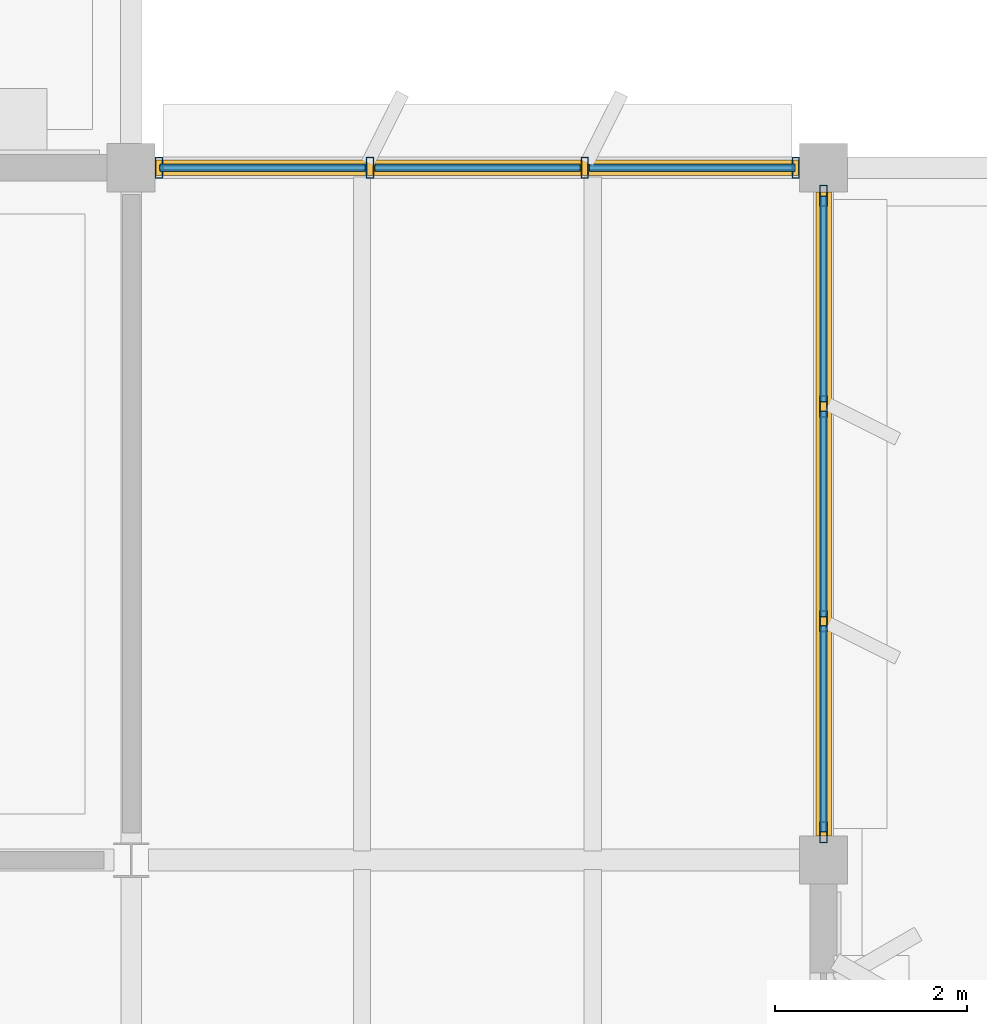
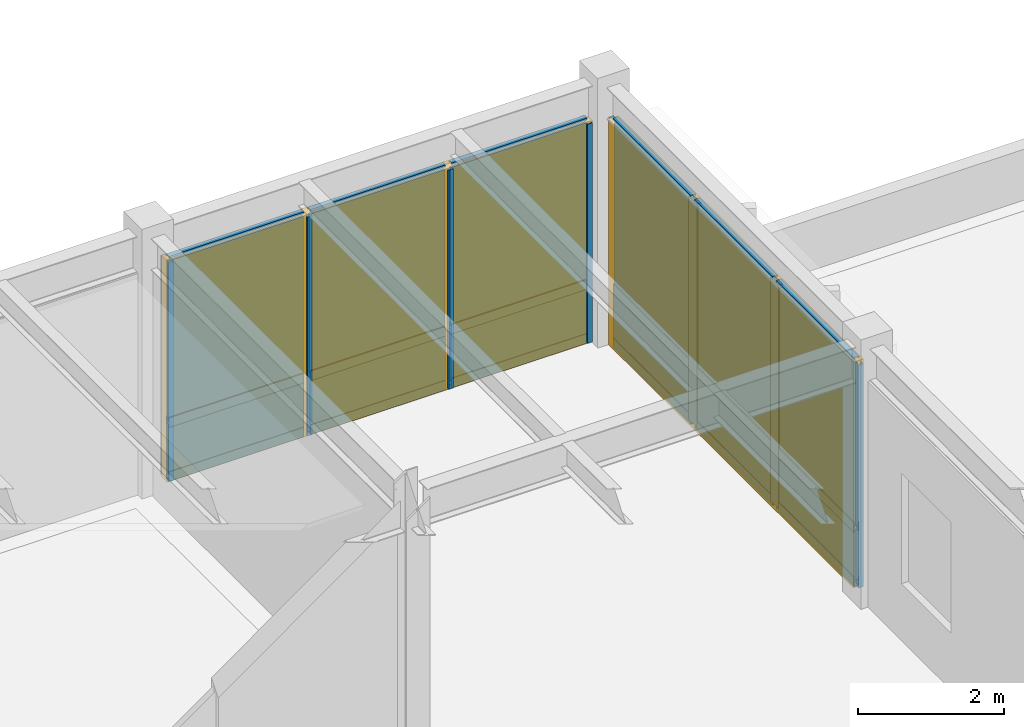
# One storey, part 66 of 92: 26 members, 12 plates, 2 curtain walls.
"""IFC4 building model written with IfcOpenShell, lengths in metres."""

import ifcopenshell
import ifcopenshell.guid

model = None  # the IFC model being written
_history = None  # IfcOwnerHistory: only IFC2X3 demands one
_inside = {}  # id of a spatial element -> (the spatial element, [elements in it])
_under = {}  # id of a project, library or spatial element -> (it, [spatial elements below it])
_declared = {}  # id of a project -> (the project, [libraries it declares])
_typed = {}  # id of a type object -> (the type object, [elements of that type])
_made_of = {}  # id of a material, layer set ... -> (it, [elements and type objects made of it])


def new_model(schema):
    """Start an empty IFC model of exactly this schema.

    Asked for "IFC4X3", IfcOpenShell would pick the latest addendum, in which some entities
    have other attributes; the version numbers below select the first issue.
    IFC2X3 requires an IfcOwnerHistory on every rooted entity: one is made here for all.
    """
    global model, _history
    if schema == "IFC4X3":
        model = ifcopenshell.file(schema_version=(4, 3, 0, 0))
    else:
        model = ifcopenshell.file(schema=schema)
    _inside.clear()
    _under.clear()
    _declared.clear()
    _typed.clear()
    _made_of.clear()
    _history = None
    if model.schema == "IFC2X3":
        org = make("IfcOrganization", Name="unknown")
        user = make(
            "IfcPersonAndOrganization",
            ThePerson=make("IfcPerson", FamilyName="unknown"),
            TheOrganization=org,
        )
        app = make(
            "IfcApplication",
            ApplicationDeveloper=org,
            Version="unknown",
            ApplicationFullName="unknown",
            ApplicationIdentifier="unknown",
        )
        _history = make(
            "IfcOwnerHistory",
            OwningUser=user,
            OwningApplication=app,
            ChangeAction="ADDED",
            CreationDate=0,
        )
    return model


def make(cls, **values):
    """One entity of the class cls with the attributes given. An attribute that is None is left unset."""
    return model.create_entity(
        cls, **{name: value for name, value in values.items() if value is not None}
    )


def rooted(cls, **values):
    """An entity with a GlobalId (a new one), such as an element, a storey or a relation."""
    return make(cls, GlobalId=ifcopenshell.guid.new(), OwnerHistory=_history, **values)


def si_unit(unit_type, name, prefix=None):
    """IfcSIUnit, for example si_unit("LENGTHUNIT", "METRE", prefix="MILLI")."""
    return make("IfcSIUnit", UnitType=unit_type, Prefix=prefix, Name=name)


def assignment(units):
    """IfcUnitAssignment: the units of a project."""
    return None if units is None else make("IfcUnitAssignment", Units=units)


def point(xyz):
    """IfcCartesianPoint."""
    return None if xyz is None else make("IfcCartesianPoint", Coordinates=xyz)


def direction(xyz):
    """IfcDirection."""
    return None if xyz is None else make("IfcDirection", DirectionRatios=xyz)


def frame(location, z_axis=None, x_axis=None):
    """IfcAxis2Placement3D, a coordinate frame: its origin and axes. An axis left out is left unset."""
    return make(
        "IfcAxis2Placement3D",
        Location=point(location),
        Axis=direction(z_axis),
        RefDirection=direction(x_axis),
    )


def frame_2d(location, x_axis=None):
    """IfcAxis2Placement2D, a coordinate frame in the plane: its origin and x axis."""
    return make(
        "IfcAxis2Placement2D", Location=point(location), RefDirection=direction(x_axis)
    )


def origin():
    """The frame at (0, 0, 0) with its axes left unset."""
    return frame((0.0, 0.0, 0.0))


def origin_2d():
    """The frame at (0, 0) in the plane with its x axis left unset."""
    return frame_2d((0.0, 0.0))


def place(relative_to, where):
    """IfcLocalPlacement: puts the frame where relative to a parent placement (None: the world)."""
    return make(
        "IfcLocalPlacement", PlacementRelTo=relative_to, RelativePlacement=where
    )


def context(
    kind, dimensions, precision=None, world=None, true_north=None, identifier=None
):
    """IfcGeometricRepresentationContext, for example the 3D "Model" context."""
    return make(
        "IfcGeometricRepresentationContext",
        ContextIdentifier=identifier,
        ContextType=kind,
        CoordinateSpaceDimension=dimensions,
        Precision=precision,
        WorldCoordinateSystem=world,
        TrueNorth=true_north,
    )


def subcontext(parent, identifier, kind, view, scale=None):
    """IfcGeometricRepresentationSubContext, for example "Body" below "Model"."""
    return make(
        "IfcGeometricRepresentationSubContext",
        ContextIdentifier=identifier,
        ContextType=kind,
        ParentContext=parent,
        TargetScale=scale,
        TargetView=view,
    )


def project(units=None, contexts=None):
    """IfcProject with its units and contexts."""
    return rooted(
        "IfcProject",
        Name="project",
        RepresentationContexts=contexts,
        UnitsInContext=assignment(units),
    )


def spatial(cls, under=None, at=None, **own):
    """A site, building, storey or space (cls), placed at a placement, below another one or the project."""
    s = rooted(cls, ObjectPlacement=at, **own)
    if under is not None:
        _under.setdefault(under.id(), (under, []))[1].append(s)
    return s


def profile(cls, at=None, kind="AREA", **sizes):
    """A parametric profile (cls). Its sizes go by their IFC names, for example OverallWidth=200.0."""
    return make(cls, ProfileType=kind, Position=at, **sizes)


def rectangle(**sizes):
    """IfcRectangleProfileDef."""
    return profile("IfcRectangleProfileDef", **sizes)


def hollow_rectangle(**sizes):
    """IfcRectangleHollowProfileDef."""
    return profile("IfcRectangleHollowProfileDef", **sizes)


def extrude(swept, where, along, depth):
    """IfcExtrudedAreaSolid: the profile swept, set in the frame where, extruded along a direction by depth."""
    return make(
        "IfcExtrudedAreaSolid",
        SweptArea=swept,
        Position=where,
        ExtrudedDirection=direction(along),
        Depth=depth,
    )


def shape(context_of_items, identifier, shape_type, items):
    """IfcShapeRepresentation: the items that make up one representation, for example the "Body"."""
    return make(
        "IfcShapeRepresentation",
        ContextOfItems=context_of_items,
        RepresentationIdentifier=identifier,
        RepresentationType=shape_type,
        Items=items,
    )


def material(Name=None, Category=None):
    """IfcMaterial."""
    return make("IfcMaterial", Name=Name, Category=Category)


def layer(
    of_material, thickness, ventilated=None, Name=None, Category=None, Priority=None
):
    """IfcMaterialLayer: one layer of a wall or slab, of a material (None: an air gap)."""
    return make(
        "IfcMaterialLayer",
        Material=of_material,
        LayerThickness=thickness,
        IsVentilated=ventilated,
        Name=Name,
        Category=Category,
        Priority=Priority,
    )


def layer_set(layers, Name=None):
    """IfcMaterialLayerSet."""
    return make("IfcMaterialLayerSet", MaterialLayers=layers, LayerSetName=Name)


def material_profile(
    of_material, cross_section, Name=None, Category=None, Priority=None
):
    """IfcMaterialProfile: a cross section and its material."""
    return make(
        "IfcMaterialProfile",
        Name=Name,
        Material=of_material,
        Profile=cross_section,
        Priority=Priority,
        Category=Category,
    )


def profile_set(profiles, Name=None, composite=None):
    """IfcMaterialProfileSet."""
    return make(
        "IfcMaterialProfileSet",
        Name=Name,
        MaterialProfiles=profiles,
        CompositeProfile=composite,
    )


def made_of(thing, what):
    """Note that an element or type object is made of a material, layer set ...; save() writes the relation."""
    if what is not None:
        _made_of.setdefault(what.id(), (what, []))[1].append(thing)
    return thing


def type_object(cls, material=None, **own):
    """A type object (cls), such as IfcWallType, which elements share."""
    return made_of(rooted(cls, **own), material)


def element(
    cls,
    number,
    at=None,
    inside=None,
    cuts=None,
    type_object=None,
    material=None,
    context=None,
    identifier="Body",
    shape_type=None,
    held_by="IfcProductDefinitionShape",
    body=None,
    shapes=None,
    **own,
):
    """One element of the class cls, such as IfcWall. Its Tag is "e" and its number.

    at: its placement. inside: the storey or other place that contains it. cuts: it is an
    opening in that element (IfcRelVoidsElement). A single representation is given by context,
    identifier, shape_type and body (its items); several are given by shapes. held_by: the class
    of the entity that holds the representations. save() writes the other relations.
    """
    e = rooted(cls, Tag="e%d" % number, ObjectPlacement=at, **own)
    if body is not None:
        shapes = [shape(context, identifier, shape_type, body)]
    if shapes is not None:
        e.Representation = make(held_by, Representations=shapes)
    if inside is not None:
        _inside.setdefault(inside.id(), (inside, []))[1].append(e)
    if cuts is not None:
        rooted(
            "IfcRelVoidsElement", RelatingBuildingElement=cuts, RelatedOpeningElement=e
        )
    if type_object is not None:
        _typed.setdefault(type_object.id(), (type_object, []))[1].append(e)
    return made_of(e, material)


def aggregate(whole, parts):
    """IfcRelAggregates: a whole, such as a stair, and the parts it consists of."""
    return rooted("IfcRelAggregates", RelatingObject=whole, RelatedObjects=parts)


def save(model, path):
    """Write the relations noted so far, then the file.

    IfcRelAggregates (storeys below a building ...), IfcRelContainedInSpatialStructure (elements
    in a storey), IfcRelDefinesByType, IfcRelAssociatesMaterial and IfcRelDeclares: one each for
    every whole, place, type object, material and project.
    """
    for whole, parts in _under.values():
        aggregate(whole, parts)
    for where, things in _inside.values():
        rooted(
            "IfcRelContainedInSpatialStructure",
            RelatedElements=things,
            RelatingStructure=where,
        )
    for kind, things in _typed.values():
        rooted("IfcRelDefinesByType", RelatedObjects=things, RelatingType=kind)
    for what, things in _made_of.values():
        rooted("IfcRelAssociatesMaterial", RelatedObjects=things, RelatingMaterial=what)
    for by, libraries in _declared.values():
        rooted("IfcRelDeclares", RelatingContext=by, RelatedDefinitions=libraries)
    model.write(path)


model = new_model("IFC4")

# Units and contexts
model_context = context("Model", 3, precision=1e-05, world=origin(), true_north=direction((0.0, 1.0)))
body_context = subcontext(model_context, "Body", "Model", "MODEL_VIEW")
ifc_project = project(units=[si_unit("LENGTHUNIT", "METRE"), si_unit("AREAUNIT", "SQUARE_METRE"), si_unit("VOLUMEUNIT", "CUBIC_METRE"), si_unit("PLANEANGLEUNIT", "RADIAN"), si_unit("MASSUNIT", "GRAM", prefix="KILO")], contexts=[model_context])

# Member
ifc_material_1 = material(Name="Anodized Aluminium 6063-T6", Category="aluminium")
ifc_material_profile_1 = material_profile(ifc_material_1, hollow_rectangle(XDim=0.074951171875, YDim=0.219970703125, WallThickness=0.0048828125, at=origin_2d()), Name="ALU 75x220x5")
ifc_profile_set_1 = profile_set([ifc_material_profile_1], Name="Anodized Aluminium 6063-T6")
member_type_1 = type_object("IfcMemberType", Name="CWM-75X180", PredefinedType="MULLION", material=ifc_profile_set_1)
site_placement = place(None, origin())
building_placement = place(site_placement, origin())
storey_placement = place(building_placement, frame((0.0, 0.0, 5.39990234375)))
member_1_placement = place(storey_placement, frame((115.489990234375, 93.60009765625, 0.02001953125), z_axis=(0.0, 0.0, 1.0), x_axis=(1.0, 0.0, 0.0)))
member_1 = element("IfcMember", 1, at=member_1_placement, type_object=member_type_1, Name="Curtain wall mullion CW-L02-16-12-N-00", PredefinedType="MULLION", context=body_context, shape_type="SweptSolid", body=[
    extrude(hollow_rectangle(XDim=0.074951171875, YDim=0.219970703125, WallThickness=0.0048828125, at=origin_2d()), origin(), (0.0, 0.0, 1.0), 3.657958984375),
])

member_2_placement = place(storey_placement, frame((117.683349609375, 93.60009765625, 0.02001953125), z_axis=(0.0, 0.0, 1.0), x_axis=(1.0, 0.0, 0.0)))
member_2 = element("IfcMember", 2, at=member_2_placement, type_object=member_type_1, Name="Curtain wall mullion CW-L02-16-12-N-01", PredefinedType="MULLION", context=body_context, shape_type="SweptSolid", body=[
    extrude(hollow_rectangle(XDim=0.074951171875, YDim=0.219970703125, WallThickness=0.0048828125, at=origin_2d()), origin(), (0.0, 0.0, 1.0), 3.657958984375),
])

member_3_placement = place(storey_placement, frame((119.916748046875, 93.60009765625, 0.02001953125), z_axis=(0.0, 0.0, 1.0), x_axis=(1.0, 0.0, 0.0)))
member_3 = element("IfcMember", 3, at=member_3_placement, type_object=member_type_1, Name="Curtain wall mullion CW-L02-16-12-N-02", PredefinedType="MULLION", context=body_context, shape_type="SweptSolid", body=[
    extrude(hollow_rectangle(XDim=0.074951171875, YDim=0.219970703125, WallThickness=0.0048828125, at=origin_2d()), origin(), (0.0, 0.0, 1.0), 3.657958984375),
])

member_4_placement = place(storey_placement, frame((122.110107421875, 93.60009765625, 0.02001953125), z_axis=(0.0, 0.0, 1.0), x_axis=(1.0, 0.0, 0.0)))
member_4 = element("IfcMember", 4, at=member_4_placement, type_object=member_type_1, Name="Curtain wall mullion CW-L02-16-12-N-03", PredefinedType="MULLION", context=body_context, shape_type="SweptSolid", body=[
    extrude(hollow_rectangle(XDim=0.074951171875, YDim=0.219970703125, WallThickness=0.0048828125, at=origin_2d()), origin(), (0.0, 0.0, 1.0), 3.657958984375),
])

member_5_placement = place(storey_placement, frame((122.39990234375, 93.31005859375, 0.02001953125), z_axis=(0.0, 0.0, 1.0), x_axis=(1.0, 0.0, 0.0)))
member_5 = element("IfcMember", 5, at=member_5_placement, type_object=member_type_1, Name="Curtain wall mullion CW-L02-16-12-E-00", PredefinedType="MULLION", context=body_context, shape_type="SweptSolid", body=[
    extrude(hollow_rectangle(XDim=0.074951171875, YDim=0.219970703125, WallThickness=0.0048828125, at=origin_2d()), origin(), (0.0, 0.0, 1.0), 3.72705078125),
])

member_6_placement = place(storey_placement, frame((122.39990234375, 91.11669921875, 0.02001953125), z_axis=(0.0, 0.0, 1.0), x_axis=(1.0, 0.0, 0.0)))
member_6 = element("IfcMember", 6, at=member_6_placement, type_object=member_type_1, Name="Curtain wall mullion CW-L02-16-12-E-01", PredefinedType="MULLION", context=body_context, shape_type="SweptSolid", body=[
    extrude(hollow_rectangle(XDim=0.074951171875, YDim=0.219970703125, WallThickness=0.0048828125, at=origin_2d()), origin(), (0.0, 0.0, 1.0), 3.72705078125),
])

member_7_placement = place(storey_placement, frame((122.39990234375, 88.88330078125, 0.02001953125), z_axis=(0.0, 0.0, 1.0), x_axis=(1.0, 0.0, 0.0)))
member_7 = element("IfcMember", 7, at=member_7_placement, type_object=member_type_1, Name="Curtain wall mullion CW-L02-16-12-E-02", PredefinedType="MULLION", context=body_context, shape_type="SweptSolid", body=[
    extrude(hollow_rectangle(XDim=0.074951171875, YDim=0.219970703125, WallThickness=0.0048828125, at=origin_2d()), origin(), (0.0, 0.0, 1.0), 3.72705078125),
])

member_8_placement = place(storey_placement, frame((122.39990234375, 86.68994140625, 0.02001953125), z_axis=(0.0, 0.0, 1.0), x_axis=(1.0, 0.0, 0.0)))
member_8 = element("IfcMember", 8, at=member_8_placement, type_object=member_type_1, Name="Curtain wall mullion CW-L02-16-12-E-03", PredefinedType="MULLION", context=body_context, shape_type="SweptSolid", body=[
    extrude(hollow_rectangle(XDim=0.074951171875, YDim=0.219970703125, WallThickness=0.0048828125, at=origin_2d()), origin(), (0.0, 0.0, 1.0), 3.72705078125),
])

ifc_material_profile_2 = material_profile(ifc_material_1, hollow_rectangle(XDim=0.074951171875, YDim=0.159912109375, WallThickness=0.00390625, at=origin_2d()), Name="ALU 75x160x4")
ifc_profile_set_2 = profile_set([ifc_material_profile_2], Name="Anodized Aluminium 6063-T6")
member_type_2 = type_object("IfcMemberType", Name="CWT-75X150", PredefinedType="USERDEFINED", material=ifc_profile_set_2)
member_9_placement = place(storey_placement, frame((115.5, 93.60009765625, 0.050048828125), z_axis=(1.0, 0.0, 0.0), x_axis=(0.0, 1.0, 0.0)))
member_9 = element("IfcMember", 9, at=member_9_placement, type_object=member_type_2, Name="Curtain wall transom CW-L02-16-12-N-1.01", ObjectType="TRANSOM", PredefinedType="USERDEFINED", context=body_context, shape_type="SweptSolid", body=[
    extrude(hollow_rectangle(XDim=0.074951171875, YDim=0.159912109375, WallThickness=0.00390625, at=origin_2d()), origin(), (0.0, 0.0, 1.0), 2.13330078125),
])

member_10_placement = place(storey_placement, frame((117.7333984375, 93.60009765625, 0.050048828125), z_axis=(1.0, 0.0, 0.0), x_axis=(0.0, 1.0, 0.0)))
member_10 = element("IfcMember", 10, at=member_10_placement, type_object=member_type_2, Name="Curtain wall transom CW-L02-16-12-N-1.02", ObjectType="TRANSOM", PredefinedType="USERDEFINED", context=body_context, shape_type="SweptSolid", body=[
    extrude(hollow_rectangle(XDim=0.074951171875, YDim=0.159912109375, WallThickness=0.00390625, at=origin_2d()), origin(), (0.0, 0.0, 1.0), 2.13330078125),
])

member_11_placement = place(storey_placement, frame((119.966796875, 93.60009765625, 0.050048828125), z_axis=(1.0, 0.0, 0.0), x_axis=(0.0, 1.0, 0.0)))
member_11 = element("IfcMember", 11, at=member_11_placement, type_object=member_type_2, Name="Curtain wall transom CW-L02-16-12-N-1.03", ObjectType="TRANSOM", PredefinedType="USERDEFINED", context=body_context, shape_type="SweptSolid", body=[
    extrude(hollow_rectangle(XDim=0.074951171875, YDim=0.159912109375, WallThickness=0.00390625, at=origin_2d()), origin(), (0.0, 0.0, 1.0), 2.13330078125),
])

member_12_placement = place(storey_placement, frame((115.5, 93.60009765625, 0.9501953125), z_axis=(1.0, 0.0, 0.0), x_axis=(0.0, 1.0, 0.0)))
member_12 = element("IfcMember", 12, at=member_12_placement, type_object=member_type_2, Name="Curtain wall transom CW-L02-16-12-N-2.01", ObjectType="TRANSOM", PredefinedType="USERDEFINED", context=body_context, shape_type="SweptSolid", body=[
    extrude(hollow_rectangle(XDim=0.074951171875, YDim=0.159912109375, WallThickness=0.00390625, at=origin_2d()), origin(), (0.0, 0.0, 1.0), 2.13330078125),
])

member_13_placement = place(storey_placement, frame((117.7333984375, 93.60009765625, 0.9501953125), z_axis=(1.0, 0.0, 0.0), x_axis=(0.0, 1.0, 0.0)))
member_13 = element("IfcMember", 13, at=member_13_placement, type_object=member_type_2, Name="Curtain wall transom CW-L02-16-12-N-2.02", ObjectType="TRANSOM", PredefinedType="USERDEFINED", context=body_context, shape_type="SweptSolid", body=[
    extrude(hollow_rectangle(XDim=0.074951171875, YDim=0.159912109375, WallThickness=0.00390625, at=origin_2d()), origin(), (0.0, 0.0, 1.0), 2.13330078125),
])

member_14_placement = place(storey_placement, frame((119.966796875, 93.60009765625, 0.9501953125), z_axis=(1.0, 0.0, 0.0), x_axis=(0.0, 1.0, 0.0)))
member_14 = element("IfcMember", 14, at=member_14_placement, type_object=member_type_2, Name="Curtain wall transom CW-L02-16-12-N-2.03", ObjectType="TRANSOM", PredefinedType="USERDEFINED", context=body_context, shape_type="SweptSolid", body=[
    extrude(hollow_rectangle(XDim=0.074951171875, YDim=0.159912109375, WallThickness=0.00390625, at=origin_2d()), origin(), (0.0, 0.0, 1.0), 2.13330078125),
])

member_15_placement = place(storey_placement, frame((115.5, 93.60009765625, 3.648193359375), z_axis=(1.0, 0.0, 0.0), x_axis=(0.0, 1.0, 0.0)))
member_15 = element("IfcMember", 15, at=member_15_placement, type_object=member_type_2, Name="Curtain wall transom CW-L02-16-12-N-3.01", ObjectType="TRANSOM", PredefinedType="USERDEFINED", context=body_context, shape_type="SweptSolid", body=[
    extrude(hollow_rectangle(XDim=0.074951171875, YDim=0.159912109375, WallThickness=0.00390625, at=origin_2d()), origin(), (0.0, 0.0, 1.0), 2.13330078125),
])

member_16_placement = place(storey_placement, frame((117.7333984375, 93.60009765625, 3.648193359375), z_axis=(1.0, 0.0, 0.0), x_axis=(0.0, 1.0, 0.0)))
member_16 = element("IfcMember", 16, at=member_16_placement, type_object=member_type_2, Name="Curtain wall transom CW-L02-16-12-N-3.02", ObjectType="TRANSOM", PredefinedType="USERDEFINED", context=body_context, shape_type="SweptSolid", body=[
    extrude(hollow_rectangle(XDim=0.074951171875, YDim=0.159912109375, WallThickness=0.00390625, at=origin_2d()), origin(), (0.0, 0.0, 1.0), 2.13330078125),
])

member_17_placement = place(storey_placement, frame((119.966796875, 93.60009765625, 3.648193359375), z_axis=(1.0, 0.0, 0.0), x_axis=(0.0, 1.0, 0.0)))
member_17 = element("IfcMember", 17, at=member_17_placement, type_object=member_type_2, Name="Curtain wall transom CW-L02-16-12-N-3.03", ObjectType="TRANSOM", PredefinedType="USERDEFINED", context=body_context, shape_type="SweptSolid", body=[
    extrude(hollow_rectangle(XDim=0.074951171875, YDim=0.159912109375, WallThickness=0.00390625, at=origin_2d()), origin(), (0.0, 0.0, 1.0), 2.13330078125),
])

member_18_placement = place(storey_placement, frame((122.39990234375, 93.300048828125, 0.050048828125), z_axis=(0.0, -1.0, 0.0), x_axis=(1.0, 0.0, 0.0)))
member_18 = element("IfcMember", 18, at=member_18_placement, type_object=member_type_2, Name="Curtain wall transom CW-L02-16-12-E-1.01", ObjectType="TRANSOM", PredefinedType="USERDEFINED", context=body_context, shape_type="SweptSolid", body=[
    extrude(hollow_rectangle(XDim=0.074951171875, YDim=0.159912109375, WallThickness=0.00390625, at=origin_2d()), origin(), (0.0, 0.0, 1.0), 2.13330078125),
])

member_19_placement = place(storey_placement, frame((122.39990234375, 91.066650390625, 0.050048828125), z_axis=(0.0, -1.0, 0.0), x_axis=(1.0, 0.0, 0.0)))
member_19 = element("IfcMember", 19, at=member_19_placement, type_object=member_type_2, Name="Curtain wall transom CW-L02-16-12-E-1.02", ObjectType="TRANSOM", PredefinedType="USERDEFINED", context=body_context, shape_type="SweptSolid", body=[
    extrude(hollow_rectangle(XDim=0.074951171875, YDim=0.159912109375, WallThickness=0.00390625, at=origin_2d()), origin(), (0.0, 0.0, 1.0), 2.13330078125),
])

member_20_placement = place(storey_placement, frame((122.39990234375, 88.833251953125, 0.050048828125), z_axis=(0.0, -1.0, 0.0), x_axis=(1.0, 0.0, 0.0)))
member_20 = element("IfcMember", 20, at=member_20_placement, type_object=member_type_2, Name="Curtain wall transom CW-L02-16-12-E-1.03", ObjectType="TRANSOM", PredefinedType="USERDEFINED", context=body_context, shape_type="SweptSolid", body=[
    extrude(hollow_rectangle(XDim=0.074951171875, YDim=0.159912109375, WallThickness=0.00390625, at=origin_2d()), origin(), (0.0, 0.0, 1.0), 2.13330078125),
])

member_21_placement = place(storey_placement, frame((122.39990234375, 93.300048828125, 0.9501953125), z_axis=(0.0, -1.0, 0.0), x_axis=(1.0, 0.0, 0.0)))
member_21 = element("IfcMember", 21, at=member_21_placement, type_object=member_type_2, Name="Curtain wall transom CW-L02-16-12-E-2.01", ObjectType="TRANSOM", PredefinedType="USERDEFINED", context=body_context, shape_type="SweptSolid", body=[
    extrude(hollow_rectangle(XDim=0.074951171875, YDim=0.159912109375, WallThickness=0.00390625, at=origin_2d()), origin(), (0.0, 0.0, 1.0), 2.13330078125),
])

member_22_placement = place(storey_placement, frame((122.39990234375, 91.066650390625, 0.9501953125), z_axis=(0.0, -1.0, 0.0), x_axis=(1.0, 0.0, 0.0)))
member_22 = element("IfcMember", 22, at=member_22_placement, type_object=member_type_2, Name="Curtain wall transom CW-L02-16-12-E-2.02", ObjectType="TRANSOM", PredefinedType="USERDEFINED", context=body_context, shape_type="SweptSolid", body=[
    extrude(hollow_rectangle(XDim=0.074951171875, YDim=0.159912109375, WallThickness=0.00390625, at=origin_2d()), origin(), (0.0, 0.0, 1.0), 2.13330078125),
])

member_23_placement = place(storey_placement, frame((122.39990234375, 88.833251953125, 0.9501953125), z_axis=(0.0, -1.0, 0.0), x_axis=(1.0, 0.0, 0.0)))
member_23 = element("IfcMember", 23, at=member_23_placement, type_object=member_type_2, Name="Curtain wall transom CW-L02-16-12-E-2.03", ObjectType="TRANSOM", PredefinedType="USERDEFINED", context=body_context, shape_type="SweptSolid", body=[
    extrude(hollow_rectangle(XDim=0.074951171875, YDim=0.159912109375, WallThickness=0.00390625, at=origin_2d()), origin(), (0.0, 0.0, 1.0), 2.13330078125),
])

member_24_placement = place(storey_placement, frame((122.39990234375, 93.300048828125, 3.717041015625), z_axis=(0.0, -1.0, 0.0), x_axis=(1.0, 0.0, 0.0)))
member_24 = element("IfcMember", 24, at=member_24_placement, type_object=member_type_2, Name="Curtain wall transom CW-L02-16-12-E-3.01", ObjectType="TRANSOM", PredefinedType="USERDEFINED", context=body_context, shape_type="SweptSolid", body=[
    extrude(hollow_rectangle(XDim=0.074951171875, YDim=0.159912109375, WallThickness=0.00390625, at=origin_2d()), origin(), (0.0, 0.0, 1.0), 2.13330078125),
])

member_25_placement = place(storey_placement, frame((122.39990234375, 91.066650390625, 3.717041015625), z_axis=(0.0, -1.0, 0.0), x_axis=(1.0, 0.0, 0.0)))
member_25 = element("IfcMember", 25, at=member_25_placement, type_object=member_type_2, Name="Curtain wall transom CW-L02-16-12-E-3.02", ObjectType="TRANSOM", PredefinedType="USERDEFINED", context=body_context, shape_type="SweptSolid", body=[
    extrude(hollow_rectangle(XDim=0.074951171875, YDim=0.159912109375, WallThickness=0.00390625, at=origin_2d()), origin(), (0.0, 0.0, 1.0), 2.13330078125),
])

member_26_placement = place(storey_placement, frame((122.39990234375, 88.833251953125, 3.717041015625), z_axis=(0.0, -1.0, 0.0), x_axis=(1.0, 0.0, 0.0)))
member_26 = element("IfcMember", 26, at=member_26_placement, type_object=member_type_2, Name="Curtain wall transom CW-L02-16-12-E-3.03", ObjectType="TRANSOM", PredefinedType="USERDEFINED", context=body_context, shape_type="SweptSolid", body=[
    extrude(hollow_rectangle(XDim=0.074951171875, YDim=0.159912109375, WallThickness=0.00390625, at=origin_2d()), origin(), (0.0, 0.0, 1.0), 2.13330078125),
])

# Plate
ifc_material_2 = material(Name="Acoustic Laminated Low-E Glazing", Category="glass")
ifc_layer_1 = layer(ifc_material_2, 0.0439453125)
ifc_layer_set_1 = layer_set([ifc_layer_1], Name="Acoustic Laminated Low-E Glazing")
plate_type_1 = type_object("IfcPlateType", Name="CWP-IGU-44", PredefinedType="CURTAIN_PANEL", material=ifc_layer_set_1)
plate_1_placement = place(storey_placement, frame((116.566650390625, 93.60009765625, 0.990234375), z_axis=(0.0, 0.0, 1.0), x_axis=(1.0, 0.0, 0.0)))
plate_1 = element("IfcPlate", 27, at=plate_1_placement, type_object=plate_type_1, Name="Curtain wall vision glazing CW-L02-16-12-N-01", PredefinedType="CURTAIN_PANEL", context=body_context, shape_type="SweptSolid", body=[
    extrude(rectangle(XDim=2.143310546875, YDim=0.0400390625, at=origin_2d()), origin(), (0.0, 0.0, 1.0), 2.64794921875),
])

plate_2_placement = place(storey_placement, frame((118.800048828125, 93.60009765625, 0.990234375), z_axis=(0.0, 0.0, 1.0), x_axis=(1.0, 0.0, 0.0)))
plate_2 = element("IfcPlate", 28, at=plate_2_placement, type_object=plate_type_1, Name="Curtain wall vision glazing CW-L02-16-12-N-02", PredefinedType="CURTAIN_PANEL", context=body_context, shape_type="SweptSolid", body=[
    extrude(rectangle(XDim=2.143310546875, YDim=0.0400390625, at=origin_2d()), origin(), (0.0, 0.0, 1.0), 2.64794921875),
])

plate_3_placement = place(storey_placement, frame((121.033203125, 93.60009765625, 0.990234375), z_axis=(0.0, 0.0, 1.0), x_axis=(1.0, 0.0, 0.0)))
plate_3 = element("IfcPlate", 29, at=plate_3_placement, type_object=plate_type_1, Name="Curtain wall vision glazing CW-L02-16-12-N-03", PredefinedType="CURTAIN_PANEL", context=body_context, shape_type="SweptSolid", body=[
    extrude(rectangle(XDim=2.143310546875, YDim=0.0400390625, at=origin_2d()), origin(), (0.0, 0.0, 1.0), 2.64794921875),
])

plate_4_placement = place(storey_placement, frame((122.39990234375, 92.2333984375, 0.990234375), z_axis=(0.0, 0.0, 1.0), x_axis=(0.0, -1.0, 0.0)))
plate_4 = element("IfcPlate", 30, at=plate_4_placement, type_object=plate_type_1, Name="Curtain wall vision glazing CW-L02-16-12-E-01", PredefinedType="CURTAIN_PANEL", context=body_context, shape_type="SweptSolid", body=[
    extrude(rectangle(XDim=2.143310546875, YDim=0.0400390625, at=origin_2d()), origin(), (0.0, 0.0, 1.0), 2.717041015625),
])

plate_5_placement = place(storey_placement, frame((122.39990234375, 90.0, 0.990234375), z_axis=(0.0, 0.0, 1.0), x_axis=(0.0, -1.0, 0.0)))
plate_5 = element("IfcPlate", 31, at=plate_5_placement, type_object=plate_type_1, Name="Curtain wall vision glazing CW-L02-16-12-E-02", PredefinedType="CURTAIN_PANEL", context=body_context, shape_type="SweptSolid", body=[
    extrude(rectangle(XDim=2.143310546875, YDim=0.0400390625, at=origin_2d()), origin(), (0.0, 0.0, 1.0), 2.717041015625),
])

plate_6_placement = place(storey_placement, frame((122.39990234375, 87.7666015625, 0.990234375), z_axis=(0.0, 0.0, 1.0), x_axis=(0.0, -1.0, 0.0)))
plate_6 = element("IfcPlate", 32, at=plate_6_placement, type_object=plate_type_1, Name="Curtain wall vision glazing CW-L02-16-12-E-03", PredefinedType="CURTAIN_PANEL", context=body_context, shape_type="SweptSolid", body=[
    extrude(rectangle(XDim=2.143310546875, YDim=0.0400390625, at=origin_2d()), origin(), (0.0, 0.0, 1.0), 2.717041015625),
])

ifc_material_3 = material(Name="Insulated Stone-Composite Spandrel", Category="masonry")
ifc_layer_2 = layer(ifc_material_3, 0.068115234375)
ifc_layer_set_2 = layer_set([ifc_layer_2], Name="Insulated Stone-Composite Spandrel")
plate_type_2 = type_object("IfcPlateType", Name="CWP-SPN-68", PredefinedType="CURTAIN_PANEL", material=ifc_layer_set_2)
plate_7_placement = place(storey_placement, frame((116.566650390625, 93.60009765625, 0.080078125), z_axis=(0.0, 0.0, 1.0), x_axis=(1.0, 0.0, 0.0)))
plate_7 = element("IfcPlate", 33, at=plate_7_placement, type_object=plate_type_2, Name="Curtain wall spandrel panel CW-L02-16-12-N-01", PredefinedType="CURTAIN_PANEL", context=body_context, shape_type="SweptSolid", body=[
    extrude(rectangle(XDim=2.143310546875, YDim=0.06005859375, at=origin_2d()), origin(), (0.0, 0.0, 1.0), 0.840087890625),
])

plate_8_placement = place(storey_placement, frame((118.800048828125, 93.60009765625, 0.080078125), z_axis=(0.0, 0.0, 1.0), x_axis=(1.0, 0.0, 0.0)))
plate_8 = element("IfcPlate", 34, at=plate_8_placement, type_object=plate_type_2, Name="Curtain wall spandrel panel CW-L02-16-12-N-02", PredefinedType="CURTAIN_PANEL", context=body_context, shape_type="SweptSolid", body=[
    extrude(rectangle(XDim=2.143310546875, YDim=0.06005859375, at=origin_2d()), origin(), (0.0, 0.0, 1.0), 0.840087890625),
])

plate_9_placement = place(storey_placement, frame((121.033203125, 93.60009765625, 0.080078125), z_axis=(0.0, 0.0, 1.0), x_axis=(1.0, 0.0, 0.0)))
plate_9 = element("IfcPlate", 35, at=plate_9_placement, type_object=plate_type_2, Name="Curtain wall spandrel panel CW-L02-16-12-N-03", PredefinedType="CURTAIN_PANEL", context=body_context, shape_type="SweptSolid", body=[
    extrude(rectangle(XDim=2.143310546875, YDim=0.06005859375, at=origin_2d()), origin(), (0.0, 0.0, 1.0), 0.840087890625),
])

plate_10_placement = place(storey_placement, frame((122.39990234375, 92.2333984375, 0.080078125), z_axis=(0.0, 0.0, 1.0), x_axis=(0.0, -1.0, 0.0)))
plate_10 = element("IfcPlate", 36, at=plate_10_placement, type_object=plate_type_2, Name="Curtain wall spandrel panel CW-L02-16-12-E-01", PredefinedType="CURTAIN_PANEL", context=body_context, shape_type="SweptSolid", body=[
    extrude(rectangle(XDim=2.143310546875, YDim=0.06005859375, at=origin_2d()), origin(), (0.0, 0.0, 1.0), 0.840087890625),
])

plate_11_placement = place(storey_placement, frame((122.39990234375, 90.0, 0.080078125), z_axis=(0.0, 0.0, 1.0), x_axis=(0.0, -1.0, 0.0)))
plate_11 = element("IfcPlate", 37, at=plate_11_placement, type_object=plate_type_2, Name="Curtain wall spandrel panel CW-L02-16-12-E-02", PredefinedType="CURTAIN_PANEL", context=body_context, shape_type="SweptSolid", body=[
    extrude(rectangle(XDim=2.143310546875, YDim=0.06005859375, at=origin_2d()), origin(), (0.0, 0.0, 1.0), 0.840087890625),
])

plate_12_placement = place(storey_placement, frame((122.39990234375, 87.7666015625, 0.080078125), z_axis=(0.0, 0.0, 1.0), x_axis=(0.0, -1.0, 0.0)))
plate_12 = element("IfcPlate", 38, at=plate_12_placement, type_object=plate_type_2, Name="Curtain wall spandrel panel CW-L02-16-12-E-03", PredefinedType="CURTAIN_PANEL", context=body_context, shape_type="SweptSolid", body=[
    extrude(rectangle(XDim=2.143310546875, YDim=0.06005859375, at=origin_2d()), origin(), (0.0, 0.0, 1.0), 0.840087890625),
])

# Site, building, storey
site = spatial("IfcSite", under=ifc_project, at=site_placement, CompositionType="ELEMENT")
building = spatial("IfcBuilding", under=site, at=building_placement, Name="Sillqori Civic Hall", CompositionType="ELEMENT")
storey = spatial("IfcBuildingStorey", under=building, at=storey_placement, Name="L02", CompositionType="ELEMENT", Elevation=5.39990234375)

# Curtain wall
ifc_material_4 = material(Name="Anodized Aluminium Curtain Wall System", Category="aluminium")
curtain_wall_type = type_object("IfcCurtainWallType", Name="CW-GL-430", PredefinedType="NOTDEFINED", material=ifc_material_4)
curtain_wall_1_placement = place(storey_placement, frame((118.800048828125, 93.60009765625, 0.0), z_axis=(0.0, 0.0, 1.0), x_axis=(1.0, 0.0, 0.0)))
curtain_wall_1 = element("IfcCurtainWall", 39, at=curtain_wall_1_placement, inside=storey, type_object=curtain_wall_type, Name="L02 unitised curtain wall CW-L02-16-12-N", PredefinedType="NOTDEFINED", context=body_context, shape_type="SweptSolid", body=[
    extrude(rectangle(XDim=6.699951171875, YDim=0.159912109375, at=origin_2d()), origin(), (0.0, 0.0, 1.0), 3.697998046875),
])

aggregate(curtain_wall_1, [member_1, member_2, member_3, member_4, member_9, member_10, member_11, member_12, member_13, member_14, member_15, member_16, member_17, plate_7, plate_1, plate_8, plate_2, plate_9, plate_3])

curtain_wall_2_placement = place(storey_placement, frame((122.39990234375, 90.0, 0.0), z_axis=(0.0, 0.0, 1.0), x_axis=(0.0, -1.0, 0.0)))
curtain_wall_2 = element("IfcCurtainWall", 40, at=curtain_wall_2_placement, inside=storey, type_object=curtain_wall_type, Name="L02 unitised curtain wall CW-L02-16-12-E", PredefinedType="NOTDEFINED", context=body_context, shape_type="SweptSolid", body=[
    extrude(rectangle(XDim=6.699951171875, YDim=0.159912109375, at=origin_2d()), origin(), (0.0, 0.0, 1.0), 3.76708984375),
])

aggregate(curtain_wall_2, [member_5, member_6, member_7, member_8, member_18, member_19, member_20, member_21, member_22, member_23, member_24, member_25, member_26, plate_10, plate_4, plate_11, plate_5, plate_12, plate_6])

save(model, "model.ifc")
